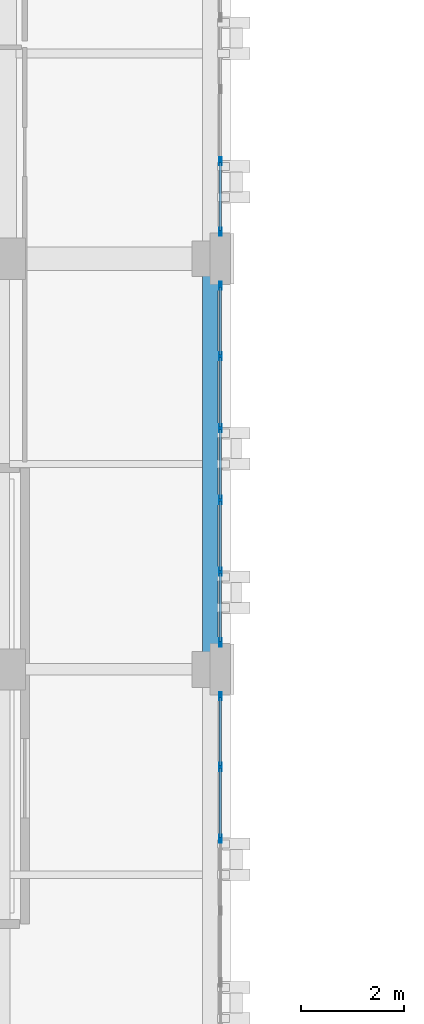
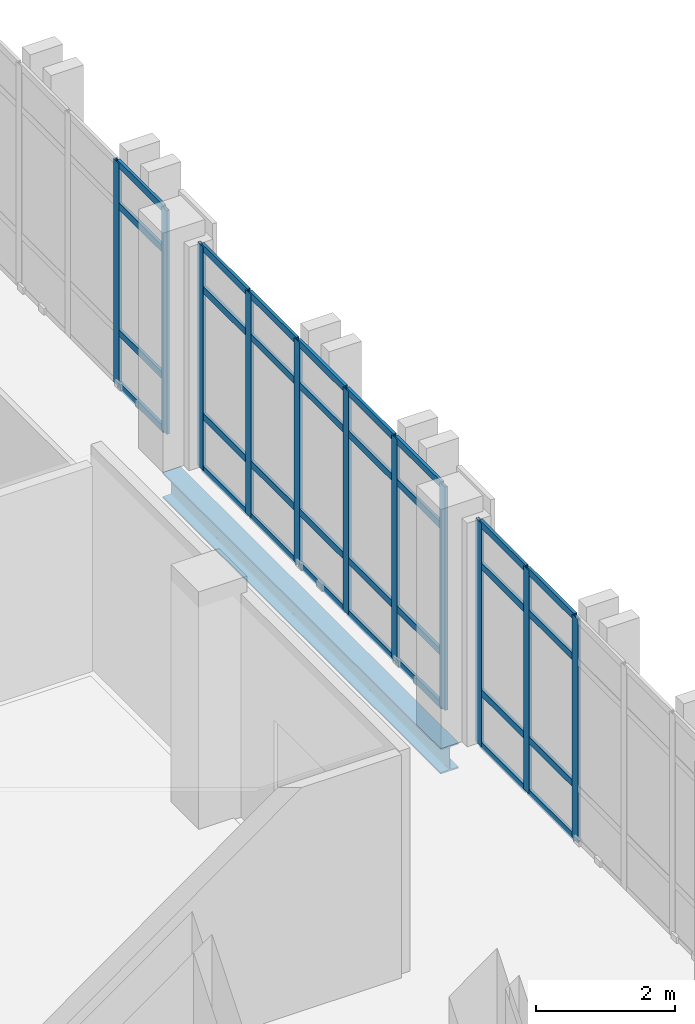
# One storey, part 40 of 158: 43 members, 1 beam, 3 elements without a shape of their own.
"""IFC4 building model written with IfcOpenShell, lengths in metres."""

from ifc_helpers import new_model, si_unit, direction, frame, origin, origin_2d, place, context, subcontext, project, spatial, hollow_rectangle, i_section, extrude, material, layer, layer_set, material_profile, profile_set, type_object, element, aggregate, save


model = new_model("IFC4")

# Units and contexts
model_context = context("Model", 3, precision=1e-05, world=origin(), true_north=direction((0.0, 1.0)))
body_context = subcontext(model_context, "Body", "Model", "MODEL_VIEW")
ifc_project = project(units=[si_unit("LENGTHUNIT", "METRE"), si_unit("AREAUNIT", "SQUARE_METRE"), si_unit("VOLUMEUNIT", "CUBIC_METRE"), si_unit("PLANEANGLEUNIT", "RADIAN"), si_unit("MASSUNIT", "GRAM", prefix="KILO")], contexts=[model_context])

# Site, building, storey
site_placement = place(None, origin())
site = spatial("IfcSite", under=ifc_project, at=site_placement, CompositionType="ELEMENT")
building_placement = place(site_placement, origin())
building = spatial("IfcBuilding", under=site, at=building_placement, Name="Qalavern Law Courts", CompositionType="ELEMENT")
storey_placement = place(building_placement, frame((0.0, 0.0, 18.60009765625)))
storey = spatial("IfcBuildingStorey", under=building, at=storey_placement, Name="L04", CompositionType="ELEMENT", Elevation=18.60009765625)

# Curtain wall, members
ifc_material_1 = material(Name="Anodised aluminium and insulated glazing", Category="aluminium")
ifc_layer = layer(ifc_material_1, 0.159912109375)
ifc_layer_set = layer_set([ifc_layer], Name="Anodised aluminium and insulated glazing")
curtain_wall_type = type_object("IfcCurtainWallType", Name="ENV-CW-CHAMB", PredefinedType="USERDEFINED", material=ifc_layer_set)
curtain_wall_1_placement = place(storey_placement, origin())
curtain_wall_1 = element("IfcCurtainWall", 1, at=curtain_wall_1_placement, inside=storey, type_object=curtain_wall_type, Name="V3 unitised curtain wall L04 east 2", ObjectType="UNITISED CURTAIN WALL", PredefinedType="USERDEFINED")
ifc_material_2 = material(Name="Anodised aluminium", Category="aluminium")
ifc_material_profile_1 = material_profile(ifc_material_2, hollow_rectangle(XDim=0.048095703125, YDim=0.159912109375, WallThickness=0.00390625, at=origin_2d()), Name="ALU MULLION 48x160")
ifc_profile_set_1 = profile_set([ifc_material_profile_1], Name="Anodised aluminium")
member_type_1 = type_object("IfcMemberType", Name="ENV-CWM-48x160", PredefinedType="MULLION", material=ifc_profile_set_1)
member_1_placement = place(storey_placement, frame((18.60009765625, 54.10009765625, 0.0), z_axis=(0.0, 0.0, 1.0), x_axis=(-1.0, 0.0, 0.0)))
member_1 = element("IfcMember", 2, at=member_1_placement, type_object=member_type_1, Name="CW-04 mullion 4", PredefinedType="MULLION", context=body_context, shape_type="SweptSolid", body=[
    extrude(hollow_rectangle(XDim=0.048095703125, YDim=0.159912109375, WallThickness=0.00390625, at=origin_2d()), origin(), (0.0, 0.0, 1.0), 3.9248046875),
])
member_2_placement = place(storey_placement, frame((18.60009765625, 55.5, 0.0), z_axis=(0.0, 0.0, 1.0), x_axis=(-1.0, 0.0, 0.0)))
member_2 = element("IfcMember", 3, at=member_2_placement, type_object=member_type_1, Name="CW-04 mullion 5", PredefinedType="MULLION", context=body_context, shape_type="SweptSolid", body=[
    extrude(hollow_rectangle(XDim=0.048095703125, YDim=0.159912109375, WallThickness=0.00390625, at=origin_2d()), origin(), (0.0, 0.0, 1.0), 3.9248046875),
])
member_3_placement = place(storey_placement, frame((18.60009765625, 56.8759765625, 0.0), z_axis=(0.0, 0.0, 1.0), x_axis=(-1.0, 0.0, 0.0)))
member_3 = element("IfcMember", 4, at=member_3_placement, type_object=member_type_1, Name="CW-04 mullion 6", PredefinedType="MULLION", context=body_context, shape_type="SweptSolid", body=[
    extrude(hollow_rectangle(XDim=0.048095703125, YDim=0.159912109375, WallThickness=0.00390625, at=origin_2d()), origin(), (0.0, 0.0, 1.0), 3.9248046875),
])

curtain_wall_2_placement = place(storey_placement, origin())
curtain_wall_2 = element("IfcCurtainWall", 5, at=curtain_wall_2_placement, inside=storey, type_object=curtain_wall_type, Name="V3 unitised curtain wall L04 east 3", ObjectType="UNITISED CURTAIN WALL", PredefinedType="USERDEFINED")
member_4_placement = place(storey_placement, frame((18.60009765625, 57.924072265625, 0.0), z_axis=(0.0, 0.0, 1.0), x_axis=(-1.0, 0.0, 0.0)))
member_4 = element("IfcMember", 6, at=member_4_placement, type_object=member_type_1, Name="CW-04 mullion 1", PredefinedType="MULLION", context=body_context, shape_type="SweptSolid", body=[
    extrude(hollow_rectangle(XDim=0.048095703125, YDim=0.159912109375, WallThickness=0.00390625, at=origin_2d()), origin(), (0.0, 0.0, 1.0), 3.9248046875),
])
member_5_placement = place(storey_placement, frame((18.60009765625, 59.300048828125, 0.0), z_axis=(0.0, 0.0, 1.0), x_axis=(-1.0, 0.0, 0.0)))
member_5 = element("IfcMember", 7, at=member_5_placement, type_object=member_type_1, Name="CW-04 mullion 2", PredefinedType="MULLION", context=body_context, shape_type="SweptSolid", body=[
    extrude(hollow_rectangle(XDim=0.048095703125, YDim=0.159912109375, WallThickness=0.00390625, at=origin_2d()), origin(), (0.0, 0.0, 1.0), 3.9248046875),
])
member_6_placement = place(storey_placement, frame((18.60009765625, 60.699951171875, 0.0), z_axis=(0.0, 0.0, 1.0), x_axis=(-1.0, 0.0, 0.0)))
member_6 = element("IfcMember", 8, at=member_6_placement, type_object=member_type_1, Name="CW-04 mullion 3", PredefinedType="MULLION", context=body_context, shape_type="SweptSolid", body=[
    extrude(hollow_rectangle(XDim=0.048095703125, YDim=0.159912109375, WallThickness=0.00390625, at=origin_2d()), origin(), (0.0, 0.0, 1.0), 3.9248046875),
])
member_7_placement = place(storey_placement, frame((18.60009765625, 62.10009765625, 0.0), z_axis=(0.0, 0.0, 1.0), x_axis=(-1.0, 0.0, 0.0)))
member_7 = element("IfcMember", 9, at=member_7_placement, type_object=member_type_1, Name="CW-04 mullion 4", PredefinedType="MULLION", context=body_context, shape_type="SweptSolid", body=[
    extrude(hollow_rectangle(XDim=0.048095703125, YDim=0.159912109375, WallThickness=0.00390625, at=origin_2d()), origin(), (0.0, 0.0, 1.0), 3.9248046875),
])
member_8_placement = place(storey_placement, frame((18.60009765625, 63.5, 0.0), z_axis=(0.0, 0.0, 1.0), x_axis=(-1.0, 0.0, 0.0)))
member_8 = element("IfcMember", 10, at=member_8_placement, type_object=member_type_1, Name="CW-04 mullion 5", PredefinedType="MULLION", context=body_context, shape_type="SweptSolid", body=[
    extrude(hollow_rectangle(XDim=0.048095703125, YDim=0.159912109375, WallThickness=0.00390625, at=origin_2d()), origin(), (0.0, 0.0, 1.0), 3.9248046875),
])
member_9_placement = place(storey_placement, frame((18.60009765625, 64.8759765625, 0.0), z_axis=(0.0, 0.0, 1.0), x_axis=(-1.0, 0.0, 0.0)))
member_9 = element("IfcMember", 11, at=member_9_placement, type_object=member_type_1, Name="CW-04 mullion 6", PredefinedType="MULLION", context=body_context, shape_type="SweptSolid", body=[
    extrude(hollow_rectangle(XDim=0.048095703125, YDim=0.159912109375, WallThickness=0.00390625, at=origin_2d()), origin(), (0.0, 0.0, 1.0), 3.9248046875),
])

curtain_wall_3_placement = place(storey_placement, origin())
curtain_wall_3 = element("IfcCurtainWall", 12, at=curtain_wall_3_placement, inside=storey, type_object=curtain_wall_type, Name="V3 unitised curtain wall L04 east 4", ObjectType="UNITISED CURTAIN WALL", PredefinedType="USERDEFINED")
member_10_placement = place(storey_placement, frame((18.60009765625, 65.924072265625, 0.0), z_axis=(0.0, 0.0, 1.0), x_axis=(-1.0, 0.0, 0.0)))
member_10 = element("IfcMember", 13, at=member_10_placement, type_object=member_type_1, Name="CW-04 mullion 1", PredefinedType="MULLION", context=body_context, shape_type="SweptSolid", body=[
    extrude(hollow_rectangle(XDim=0.048095703125, YDim=0.159912109375, WallThickness=0.00390625, at=origin_2d()), origin(), (0.0, 0.0, 1.0), 3.9248046875),
])
member_11_placement = place(storey_placement, frame((18.60009765625, 67.300048828125, 0.0), z_axis=(0.0, 0.0, 1.0), x_axis=(-1.0, 0.0, 0.0)))
member_11 = element("IfcMember", 14, at=member_11_placement, type_object=member_type_1, Name="CW-04 mullion 2", PredefinedType="MULLION", context=body_context, shape_type="SweptSolid", body=[
    extrude(hollow_rectangle(XDim=0.048095703125, YDim=0.159912109375, WallThickness=0.00390625, at=origin_2d()), origin(), (0.0, 0.0, 1.0), 3.9248046875),
])

# Member
ifc_material_profile_2 = material_profile(ifc_material_2, hollow_rectangle(XDim=0.048095703125, YDim=0.1201171875, WallThickness=0.00390625, at=origin_2d()), Name="ALU TRANSOM 48x120")
ifc_profile_set_2 = profile_set([ifc_material_profile_2], Name="Anodised aluminium")
member_type_2 = type_object("IfcMemberType", Name="ENV-CWT-48x120", PredefinedType="USERDEFINED", material=ifc_profile_set_2)
member_12_placement = place(storey_placement, frame((18.60009765625, 54.1240234375, 0.02392578125), z_axis=(0.0, 1.0, 0.0), x_axis=(-1.0, 0.0, 0.0)))
member_12 = element("IfcMember", 15, at=member_12_placement, type_object=member_type_2, Name="CW-04 transom 4.1", ObjectType="TRANSOM", PredefinedType="USERDEFINED", context=body_context, shape_type="SweptSolid", body=[
    extrude(hollow_rectangle(XDim=0.048095703125, YDim=0.1201171875, WallThickness=0.00390625, at=origin_2d()), origin(), (0.0, 0.0, 1.0), 1.35205078125),
])

member_13_placement = place(storey_placement, frame((18.60009765625, 54.1240234375, 0.949951171875), z_axis=(0.0, 1.0, 0.0), x_axis=(-1.0, 0.0, 0.0)))
member_13 = element("IfcMember", 16, at=member_13_placement, type_object=member_type_2, Name="CW-04 transom 4.2", ObjectType="TRANSOM", PredefinedType="USERDEFINED", context=body_context, shape_type="SweptSolid", body=[
    extrude(hollow_rectangle(XDim=0.048095703125, YDim=0.1201171875, WallThickness=0.00390625, at=origin_2d()), origin(), (0.0, 0.0, 1.0), 1.35205078125),
])

member_14_placement = place(storey_placement, frame((18.60009765625, 54.1240234375, 3.1748046875), z_axis=(0.0, 1.0, 0.0), x_axis=(-1.0, 0.0, 0.0)))
member_14 = element("IfcMember", 17, at=member_14_placement, type_object=member_type_2, Name="CW-04 transom 4.3", ObjectType="TRANSOM", PredefinedType="USERDEFINED", context=body_context, shape_type="SweptSolid", body=[
    extrude(hollow_rectangle(XDim=0.048095703125, YDim=0.1201171875, WallThickness=0.00390625, at=origin_2d()), origin(), (0.0, 0.0, 1.0), 1.35205078125),
])

member_15_placement = place(storey_placement, frame((18.60009765625, 54.1240234375, 3.90087890625), z_axis=(0.0, 1.0, 0.0), x_axis=(-1.0, 0.0, 0.0)))
member_15 = element("IfcMember", 18, at=member_15_placement, type_object=member_type_2, Name="CW-04 transom 4.4", ObjectType="TRANSOM", PredefinedType="USERDEFINED", context=body_context, shape_type="SweptSolid", body=[
    extrude(hollow_rectangle(XDim=0.048095703125, YDim=0.1201171875, WallThickness=0.00390625, at=origin_2d()), origin(), (0.0, 0.0, 1.0), 1.35205078125),
])

member_16_placement = place(storey_placement, frame((18.60009765625, 55.52392578125, 0.02392578125), z_axis=(0.0, 1.0, 0.0), x_axis=(-1.0, 0.0, 0.0)))
member_16 = element("IfcMember", 19, at=member_16_placement, type_object=member_type_2, Name="CW-04 transom 5.1", ObjectType="TRANSOM", PredefinedType="USERDEFINED", context=body_context, shape_type="SweptSolid", body=[
    extrude(hollow_rectangle(XDim=0.048095703125, YDim=0.1201171875, WallThickness=0.00390625, at=origin_2d()), origin(), (0.0, 0.0, 1.0), 1.328125),
])

member_17_placement = place(storey_placement, frame((18.60009765625, 55.52392578125, 0.949951171875), z_axis=(0.0, 1.0, 0.0), x_axis=(-1.0, 0.0, 0.0)))
member_17 = element("IfcMember", 20, at=member_17_placement, type_object=member_type_2, Name="CW-04 transom 5.2", ObjectType="TRANSOM", PredefinedType="USERDEFINED", context=body_context, shape_type="SweptSolid", body=[
    extrude(hollow_rectangle(XDim=0.048095703125, YDim=0.1201171875, WallThickness=0.00390625, at=origin_2d()), origin(), (0.0, 0.0, 1.0), 1.328125),
])

member_18_placement = place(storey_placement, frame((18.60009765625, 55.52392578125, 3.1748046875), z_axis=(0.0, 1.0, 0.0), x_axis=(-1.0, 0.0, 0.0)))
member_18 = element("IfcMember", 21, at=member_18_placement, type_object=member_type_2, Name="CW-04 transom 5.3", ObjectType="TRANSOM", PredefinedType="USERDEFINED", context=body_context, shape_type="SweptSolid", body=[
    extrude(hollow_rectangle(XDim=0.048095703125, YDim=0.1201171875, WallThickness=0.00390625, at=origin_2d()), origin(), (0.0, 0.0, 1.0), 1.328125),
])

member_19_placement = place(storey_placement, frame((18.60009765625, 55.52392578125, 3.90087890625), z_axis=(0.0, 1.0, 0.0), x_axis=(-1.0, 0.0, 0.0)))
member_19 = element("IfcMember", 22, at=member_19_placement, type_object=member_type_2, Name="CW-04 transom 5.4", ObjectType="TRANSOM", PredefinedType="USERDEFINED", context=body_context, shape_type="SweptSolid", body=[
    extrude(hollow_rectangle(XDim=0.048095703125, YDim=0.1201171875, WallThickness=0.00390625, at=origin_2d()), origin(), (0.0, 0.0, 1.0), 1.328125),
])

aggregate(curtain_wall_1, [member_1, member_2, member_3, member_12, member_13, member_14, member_15, member_16, member_17, member_18, member_19])

member_20_placement = place(storey_placement, frame((18.60009765625, 57.947998046875, 0.02392578125), z_axis=(0.0, 1.0, 0.0), x_axis=(-1.0, 0.0, 0.0)))
member_20 = element("IfcMember", 23, at=member_20_placement, type_object=member_type_2, Name="CW-04 transom 1.1", ObjectType="TRANSOM", PredefinedType="USERDEFINED", context=body_context, shape_type="SweptSolid", body=[
    extrude(hollow_rectangle(XDim=0.048095703125, YDim=0.1201171875, WallThickness=0.00390625, at=origin_2d()), origin(), (0.0, 0.0, 1.0), 1.327880859375),
])

member_21_placement = place(storey_placement, frame((18.60009765625, 57.947998046875, 0.949951171875), z_axis=(0.0, 1.0, 0.0), x_axis=(-1.0, 0.0, 0.0)))
member_21 = element("IfcMember", 24, at=member_21_placement, type_object=member_type_2, Name="CW-04 transom 1.2", ObjectType="TRANSOM", PredefinedType="USERDEFINED", context=body_context, shape_type="SweptSolid", body=[
    extrude(hollow_rectangle(XDim=0.048095703125, YDim=0.1201171875, WallThickness=0.00390625, at=origin_2d()), origin(), (0.0, 0.0, 1.0), 1.327880859375),
])

member_22_placement = place(storey_placement, frame((18.60009765625, 57.947998046875, 3.1748046875), z_axis=(0.0, 1.0, 0.0), x_axis=(-1.0, 0.0, 0.0)))
member_22 = element("IfcMember", 25, at=member_22_placement, type_object=member_type_2, Name="CW-04 transom 1.3", ObjectType="TRANSOM", PredefinedType="USERDEFINED", context=body_context, shape_type="SweptSolid", body=[
    extrude(hollow_rectangle(XDim=0.048095703125, YDim=0.1201171875, WallThickness=0.00390625, at=origin_2d()), origin(), (0.0, 0.0, 1.0), 1.327880859375),
])

member_23_placement = place(storey_placement, frame((18.60009765625, 57.947998046875, 3.90087890625), z_axis=(0.0, 1.0, 0.0), x_axis=(-1.0, 0.0, 0.0)))
member_23 = element("IfcMember", 26, at=member_23_placement, type_object=member_type_2, Name="CW-04 transom 1.4", ObjectType="TRANSOM", PredefinedType="USERDEFINED", context=body_context, shape_type="SweptSolid", body=[
    extrude(hollow_rectangle(XDim=0.048095703125, YDim=0.1201171875, WallThickness=0.00390625, at=origin_2d()), origin(), (0.0, 0.0, 1.0), 1.327880859375),
])

member_24_placement = place(storey_placement, frame((18.60009765625, 59.323974609375, 0.02392578125), z_axis=(0.0, 1.0, 0.0), x_axis=(-1.0, 0.0, 0.0)))
member_24 = element("IfcMember", 27, at=member_24_placement, type_object=member_type_2, Name="CW-04 transom 2.1", ObjectType="TRANSOM", PredefinedType="USERDEFINED", context=body_context, shape_type="SweptSolid", body=[
    extrude(hollow_rectangle(XDim=0.048095703125, YDim=0.1201171875, WallThickness=0.00390625, at=origin_2d()), origin(), (0.0, 0.0, 1.0), 1.35205078125),
])

member_25_placement = place(storey_placement, frame((18.60009765625, 59.323974609375, 0.949951171875), z_axis=(0.0, 1.0, 0.0), x_axis=(-1.0, 0.0, 0.0)))
member_25 = element("IfcMember", 28, at=member_25_placement, type_object=member_type_2, Name="CW-04 transom 2.2", ObjectType="TRANSOM", PredefinedType="USERDEFINED", context=body_context, shape_type="SweptSolid", body=[
    extrude(hollow_rectangle(XDim=0.048095703125, YDim=0.1201171875, WallThickness=0.00390625, at=origin_2d()), origin(), (0.0, 0.0, 1.0), 1.35205078125),
])

member_26_placement = place(storey_placement, frame((18.60009765625, 59.323974609375, 3.1748046875), z_axis=(0.0, 1.0, 0.0), x_axis=(-1.0, 0.0, 0.0)))
member_26 = element("IfcMember", 29, at=member_26_placement, type_object=member_type_2, Name="CW-04 transom 2.3", ObjectType="TRANSOM", PredefinedType="USERDEFINED", context=body_context, shape_type="SweptSolid", body=[
    extrude(hollow_rectangle(XDim=0.048095703125, YDim=0.1201171875, WallThickness=0.00390625, at=origin_2d()), origin(), (0.0, 0.0, 1.0), 1.35205078125),
])

member_27_placement = place(storey_placement, frame((18.60009765625, 59.323974609375, 3.90087890625), z_axis=(0.0, 1.0, 0.0), x_axis=(-1.0, 0.0, 0.0)))
member_27 = element("IfcMember", 30, at=member_27_placement, type_object=member_type_2, Name="CW-04 transom 2.4", ObjectType="TRANSOM", PredefinedType="USERDEFINED", context=body_context, shape_type="SweptSolid", body=[
    extrude(hollow_rectangle(XDim=0.048095703125, YDim=0.1201171875, WallThickness=0.00390625, at=origin_2d()), origin(), (0.0, 0.0, 1.0), 1.35205078125),
])

member_28_placement = place(storey_placement, frame((18.60009765625, 60.72412109375, 0.02392578125), z_axis=(0.0, 1.0, 0.0), x_axis=(-1.0, 0.0, 0.0)))
member_28 = element("IfcMember", 31, at=member_28_placement, type_object=member_type_2, Name="CW-04 transom 3.1", ObjectType="TRANSOM", PredefinedType="USERDEFINED", context=body_context, shape_type="SweptSolid", body=[
    extrude(hollow_rectangle(XDim=0.048095703125, YDim=0.1201171875, WallThickness=0.00390625, at=origin_2d()), origin(), (0.0, 0.0, 1.0), 1.351806640625),
])

member_29_placement = place(storey_placement, frame((18.60009765625, 60.72412109375, 0.949951171875), z_axis=(0.0, 1.0, 0.0), x_axis=(-1.0, 0.0, 0.0)))
member_29 = element("IfcMember", 32, at=member_29_placement, type_object=member_type_2, Name="CW-04 transom 3.2", ObjectType="TRANSOM", PredefinedType="USERDEFINED", context=body_context, shape_type="SweptSolid", body=[
    extrude(hollow_rectangle(XDim=0.048095703125, YDim=0.1201171875, WallThickness=0.00390625, at=origin_2d()), origin(), (0.0, 0.0, 1.0), 1.351806640625),
])

member_30_placement = place(storey_placement, frame((18.60009765625, 60.72412109375, 3.1748046875), z_axis=(0.0, 1.0, 0.0), x_axis=(-1.0, 0.0, 0.0)))
member_30 = element("IfcMember", 33, at=member_30_placement, type_object=member_type_2, Name="CW-04 transom 3.3", ObjectType="TRANSOM", PredefinedType="USERDEFINED", context=body_context, shape_type="SweptSolid", body=[
    extrude(hollow_rectangle(XDim=0.048095703125, YDim=0.1201171875, WallThickness=0.00390625, at=origin_2d()), origin(), (0.0, 0.0, 1.0), 1.351806640625),
])

member_31_placement = place(storey_placement, frame((18.60009765625, 60.72412109375, 3.90087890625), z_axis=(0.0, 1.0, 0.0), x_axis=(-1.0, 0.0, 0.0)))
member_31 = element("IfcMember", 34, at=member_31_placement, type_object=member_type_2, Name="CW-04 transom 3.4", ObjectType="TRANSOM", PredefinedType="USERDEFINED", context=body_context, shape_type="SweptSolid", body=[
    extrude(hollow_rectangle(XDim=0.048095703125, YDim=0.1201171875, WallThickness=0.00390625, at=origin_2d()), origin(), (0.0, 0.0, 1.0), 1.351806640625),
])

member_32_placement = place(storey_placement, frame((18.60009765625, 62.1240234375, 0.02392578125), z_axis=(0.0, 1.0, 0.0), x_axis=(-1.0, 0.0, 0.0)))
member_32 = element("IfcMember", 35, at=member_32_placement, type_object=member_type_2, Name="CW-04 transom 4.1", ObjectType="TRANSOM", PredefinedType="USERDEFINED", context=body_context, shape_type="SweptSolid", body=[
    extrude(hollow_rectangle(XDim=0.048095703125, YDim=0.1201171875, WallThickness=0.00390625, at=origin_2d()), origin(), (0.0, 0.0, 1.0), 1.35205078125),
])

member_33_placement = place(storey_placement, frame((18.60009765625, 62.1240234375, 0.949951171875), z_axis=(0.0, 1.0, 0.0), x_axis=(-1.0, 0.0, 0.0)))
member_33 = element("IfcMember", 36, at=member_33_placement, type_object=member_type_2, Name="CW-04 transom 4.2", ObjectType="TRANSOM", PredefinedType="USERDEFINED", context=body_context, shape_type="SweptSolid", body=[
    extrude(hollow_rectangle(XDim=0.048095703125, YDim=0.1201171875, WallThickness=0.00390625, at=origin_2d()), origin(), (0.0, 0.0, 1.0), 1.35205078125),
])

member_34_placement = place(storey_placement, frame((18.60009765625, 62.1240234375, 3.1748046875), z_axis=(0.0, 1.0, 0.0), x_axis=(-1.0, 0.0, 0.0)))
member_34 = element("IfcMember", 37, at=member_34_placement, type_object=member_type_2, Name="CW-04 transom 4.3", ObjectType="TRANSOM", PredefinedType="USERDEFINED", context=body_context, shape_type="SweptSolid", body=[
    extrude(hollow_rectangle(XDim=0.048095703125, YDim=0.1201171875, WallThickness=0.00390625, at=origin_2d()), origin(), (0.0, 0.0, 1.0), 1.35205078125),
])

member_35_placement = place(storey_placement, frame((18.60009765625, 62.1240234375, 3.90087890625), z_axis=(0.0, 1.0, 0.0), x_axis=(-1.0, 0.0, 0.0)))
member_35 = element("IfcMember", 38, at=member_35_placement, type_object=member_type_2, Name="CW-04 transom 4.4", ObjectType="TRANSOM", PredefinedType="USERDEFINED", context=body_context, shape_type="SweptSolid", body=[
    extrude(hollow_rectangle(XDim=0.048095703125, YDim=0.1201171875, WallThickness=0.00390625, at=origin_2d()), origin(), (0.0, 0.0, 1.0), 1.35205078125),
])

member_36_placement = place(storey_placement, frame((18.60009765625, 63.52392578125, 0.02392578125), z_axis=(0.0, 1.0, 0.0), x_axis=(-1.0, 0.0, 0.0)))
member_36 = element("IfcMember", 39, at=member_36_placement, type_object=member_type_2, Name="CW-04 transom 5.1", ObjectType="TRANSOM", PredefinedType="USERDEFINED", context=body_context, shape_type="SweptSolid", body=[
    extrude(hollow_rectangle(XDim=0.048095703125, YDim=0.1201171875, WallThickness=0.00390625, at=origin_2d()), origin(), (0.0, 0.0, 1.0), 1.328125),
])

member_37_placement = place(storey_placement, frame((18.60009765625, 63.52392578125, 0.949951171875), z_axis=(0.0, 1.0, 0.0), x_axis=(-1.0, 0.0, 0.0)))
member_37 = element("IfcMember", 40, at=member_37_placement, type_object=member_type_2, Name="CW-04 transom 5.2", ObjectType="TRANSOM", PredefinedType="USERDEFINED", context=body_context, shape_type="SweptSolid", body=[
    extrude(hollow_rectangle(XDim=0.048095703125, YDim=0.1201171875, WallThickness=0.00390625, at=origin_2d()), origin(), (0.0, 0.0, 1.0), 1.328125),
])

member_38_placement = place(storey_placement, frame((18.60009765625, 63.52392578125, 3.1748046875), z_axis=(0.0, 1.0, 0.0), x_axis=(-1.0, 0.0, 0.0)))
member_38 = element("IfcMember", 41, at=member_38_placement, type_object=member_type_2, Name="CW-04 transom 5.3", ObjectType="TRANSOM", PredefinedType="USERDEFINED", context=body_context, shape_type="SweptSolid", body=[
    extrude(hollow_rectangle(XDim=0.048095703125, YDim=0.1201171875, WallThickness=0.00390625, at=origin_2d()), origin(), (0.0, 0.0, 1.0), 1.328125),
])

member_39_placement = place(storey_placement, frame((18.60009765625, 63.52392578125, 3.90087890625), z_axis=(0.0, 1.0, 0.0), x_axis=(-1.0, 0.0, 0.0)))
member_39 = element("IfcMember", 42, at=member_39_placement, type_object=member_type_2, Name="CW-04 transom 5.4", ObjectType="TRANSOM", PredefinedType="USERDEFINED", context=body_context, shape_type="SweptSolid", body=[
    extrude(hollow_rectangle(XDim=0.048095703125, YDim=0.1201171875, WallThickness=0.00390625, at=origin_2d()), origin(), (0.0, 0.0, 1.0), 1.328125),
])

aggregate(curtain_wall_2, [member_4, member_5, member_6, member_7, member_8, member_9, member_20, member_21, member_22, member_23, member_24, member_25, member_26, member_27, member_28, member_29, member_30, member_31, member_32, member_33, member_34, member_35, member_36, member_37, member_38, member_39])

member_40_placement = place(storey_placement, frame((18.60009765625, 65.947998046875, 0.02392578125), z_axis=(0.0, 1.0, 0.0), x_axis=(-1.0, 0.0, 0.0)))
member_40 = element("IfcMember", 43, at=member_40_placement, type_object=member_type_2, Name="CW-04 transom 1.1", ObjectType="TRANSOM", PredefinedType="USERDEFINED", context=body_context, shape_type="SweptSolid", body=[
    extrude(hollow_rectangle(XDim=0.048095703125, YDim=0.1201171875, WallThickness=0.00390625, at=origin_2d()), origin(), (0.0, 0.0, 1.0), 1.327880859375),
])

member_41_placement = place(storey_placement, frame((18.60009765625, 65.947998046875, 0.949951171875), z_axis=(0.0, 1.0, 0.0), x_axis=(-1.0, 0.0, 0.0)))
member_41 = element("IfcMember", 44, at=member_41_placement, type_object=member_type_2, Name="CW-04 transom 1.2", ObjectType="TRANSOM", PredefinedType="USERDEFINED", context=body_context, shape_type="SweptSolid", body=[
    extrude(hollow_rectangle(XDim=0.048095703125, YDim=0.1201171875, WallThickness=0.00390625, at=origin_2d()), origin(), (0.0, 0.0, 1.0), 1.327880859375),
])

member_42_placement = place(storey_placement, frame((18.60009765625, 65.947998046875, 3.1748046875), z_axis=(0.0, 1.0, 0.0), x_axis=(-1.0, 0.0, 0.0)))
member_42 = element("IfcMember", 45, at=member_42_placement, type_object=member_type_2, Name="CW-04 transom 1.3", ObjectType="TRANSOM", PredefinedType="USERDEFINED", context=body_context, shape_type="SweptSolid", body=[
    extrude(hollow_rectangle(XDim=0.048095703125, YDim=0.1201171875, WallThickness=0.00390625, at=origin_2d()), origin(), (0.0, 0.0, 1.0), 1.327880859375),
])

member_43_placement = place(storey_placement, frame((18.60009765625, 65.947998046875, 3.90087890625), z_axis=(0.0, 1.0, 0.0), x_axis=(-1.0, 0.0, 0.0)))
member_43 = element("IfcMember", 46, at=member_43_placement, type_object=member_type_2, Name="CW-04 transom 1.4", ObjectType="TRANSOM", PredefinedType="USERDEFINED", context=body_context, shape_type="SweptSolid", body=[
    extrude(hollow_rectangle(XDim=0.048095703125, YDim=0.1201171875, WallThickness=0.00390625, at=origin_2d()), origin(), (0.0, 0.0, 1.0), 1.327880859375),
])

aggregate(curtain_wall_3, [member_10, member_11, member_40, member_41, member_42, member_43])

# Beam
ifc_material_3 = material(Name="Steel S355", Category="steel")
ifc_material_profile_3 = material_profile(ifc_material_3, i_section(OverallWidth=0.300048828125, OverallDepth=0.449951171875, WebThickness=0.013916015625, FlangeThickness=0.02587890625, FilletRadius=0.027099609375, at=origin_2d()), Name="HEB 450")
ifc_profile_set_3 = profile_set([ifc_material_profile_3], Name="Steel S355")
beam_type = type_object("IfcBeamType", Name="STR-SP-HEB450", PredefinedType="SPANDREL", material=ifc_profile_set_3)
beam_placement = place(storey_placement, frame((18.39990234375, 57.39990234375, -0.505126953125), z_axis=(0.0, 1.0, 0.0), x_axis=(-1.0, 0.0, 0.0)))
element("IfcBeam", 47, at=beam_placement, inside=storey, type_object=beam_type, Name="V3 Y-beam 3-3 L04", PredefinedType="SPANDREL", context=body_context, shape_type="SweptSolid", body=[
    extrude(i_section(OverallWidth=0.300048828125, OverallDepth=0.449951171875, WebThickness=0.013916015625, FlangeThickness=0.02587890625, FilletRadius=0.027099609375, at=origin_2d()), origin(), (0.0, 0.0, 1.0), 8.0),
])

save(model, "model.ifc")
